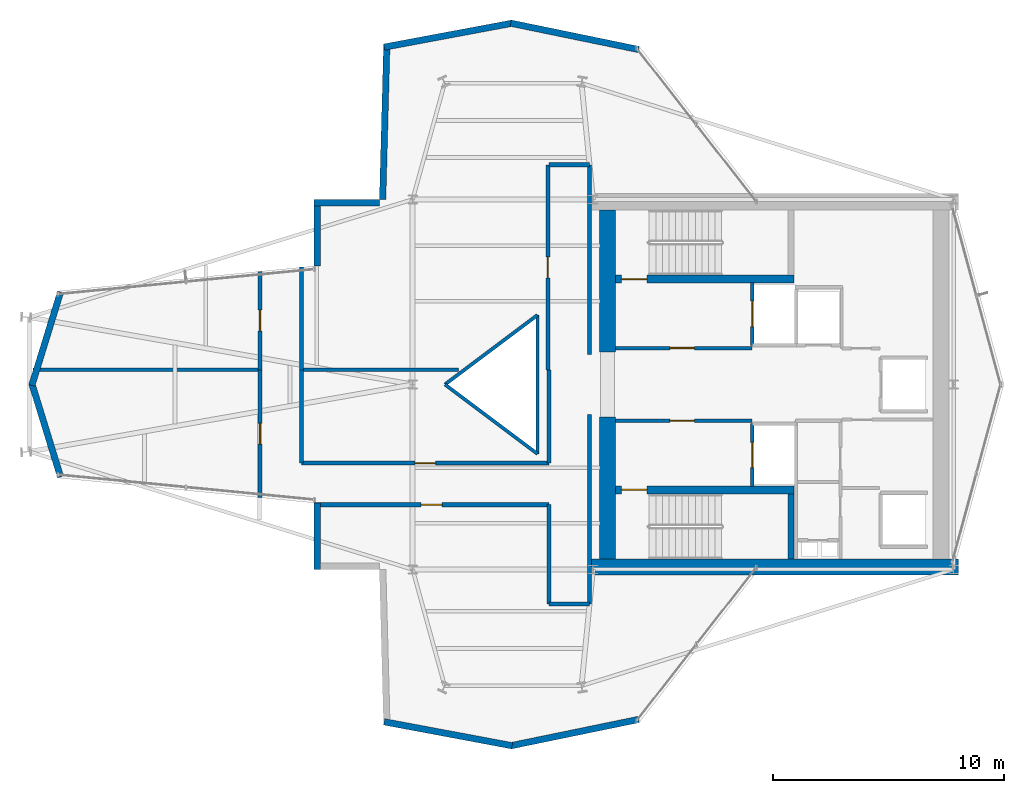
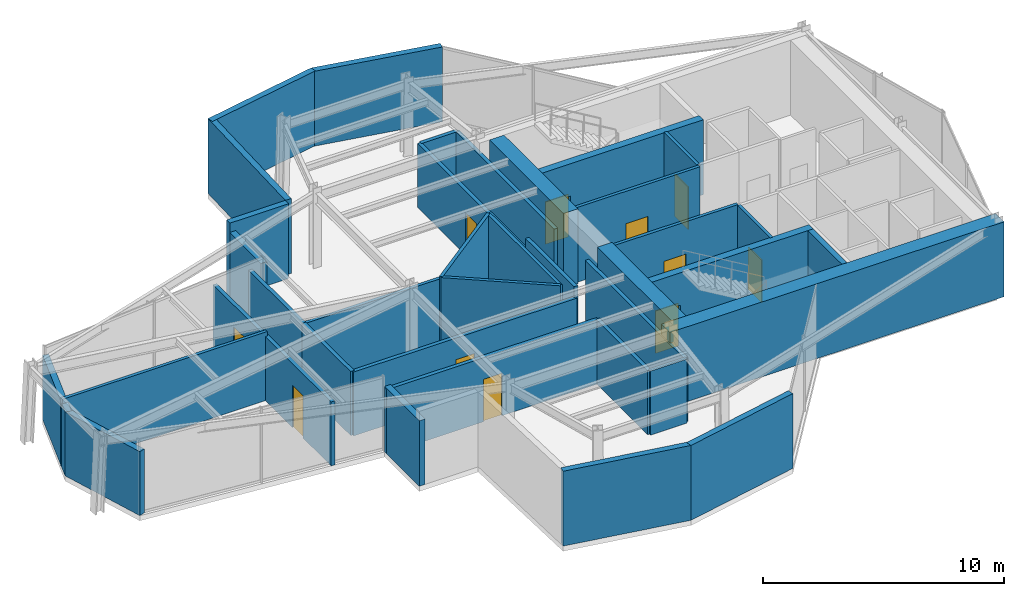
# One storey, part 18 of 20: 38 walls, 11 doors, 11 openings.
"""IFC4 building model written with IfcOpenShell, lengths in metres."""

from ifc_helpers import new_model, si_unit, direction, frame, frame_2d, origin, place, context, subcontext, project, spatial, rectangle, extrude, material, layer, layer_set, type_object, element, fill, save


model = new_model("IFC4")

# Units and contexts
model_context = context("Model", 3, precision=1e-05, world=origin(), true_north=direction((0.0, 1.0)))
body_context = subcontext(model_context, "Body", "Model", "MODEL_VIEW")
ifc_project = project(units=[si_unit("LENGTHUNIT", "METRE"), si_unit("AREAUNIT", "SQUARE_METRE"), si_unit("VOLUMEUNIT", "CUBIC_METRE"), si_unit("PLANEANGLEUNIT", "RADIAN"), si_unit("MASSUNIT", "GRAM", prefix="KILO")], contexts=[model_context])

# Site, building, storey
site_placement = place(None, origin())
site = spatial("IfcSite", under=ifc_project, at=site_placement, CompositionType="ELEMENT")
building_placement = place(site_placement, origin())
building = spatial("IfcBuilding", under=site, at=building_placement, Name="Veymaron Broadcast Tower", CompositionType="ELEMENT")
storey_placement = place(building_placement, frame((0.0, 0.0, 248.550048828125)))
storey = spatial("IfcBuildingStorey", under=building, at=storey_placement, Name="L58", CompositionType="ELEMENT", Elevation=248.550048828125)

# Walls
ifc_material_1 = material(Name="Precast concrete C40/50", Category="concrete")
ifc_layer_1 = layer(ifc_material_1, 0.280029296875)
ifc_layer_set_1 = layer_set([ifc_layer_1], Name="Precast concrete C40/50")
wall_type_1 = type_object("IfcWallType", Name="WALL-EXT-280", PredefinedType="STANDARD", material=ifc_layer_set_1)
wall_1_placement = place(storey_placement, frame((40.977783203125, 38.486083984375, 0.0), z_axis=(0.0, 0.0, 1.0), x_axis=(-0.979426896637, 0.201799291733, 0.0)))
element("IfcWall", 1, at=wall_1_placement, inside=storey, type_object=wall_type_1, Name="L58 notched corner facade pier 6-1", PredefinedType="STANDARD", context=body_context, shape_type="SweptSolid", body=[
    extrude(rectangle(XDim=5.6474609375, YDim=0.280029296875, at=frame_2d((2.82373046875, 0.0))), origin(), (0.0, 0.0, 1.0), 3.7900390625),
])
wall_2_placement = place(storey_placement, frame((35.50048828125, 39.625244140625, 0.0), z_axis=(0.0, 0.0, 1.0), x_axis=(-0.982902134609, -0.184128742409, 0.0)))
element("IfcWall", 2, at=wall_2_placement, inside=storey, type_object=wall_type_1, Name="L58 notched corner facade pier 7-1", PredefinedType="STANDARD", context=body_context, shape_type="SweptSolid", body=[
    extrude(rectangle(XDim=5.627197265625, YDim=0.280029296875, at=frame_2d((2.8134765625, 0.0))), origin(), (0.0, 0.0, 1.0), 3.7900390625),
])
wall_3_placement = place(storey_placement, frame((30.08349609375, 38.72314453125, 0.0), z_axis=(0.0, 0.0, 1.0), x_axis=(-0.026702629768, -0.999643421208, 0.0)))
element("IfcWall", 3, at=wall_3_placement, inside=storey, type_object=wall_type_1, Name="L58 notched corner facade pier 8-1", PredefinedType="STANDARD", context=body_context, shape_type="SweptSolid", body=[
    extrude(rectangle(XDim=6.729248046875, YDim=0.280029296875, at=frame_2d((3.36474609375, 0.0))), origin(), (0.0, 0.0, 1.0), 3.7900390625),
])
wall_4_placement = place(storey_placement, frame((29.763916015625, 31.860107421875, 0.0), z_axis=(0.0, 0.0, 1.0), x_axis=(-1.0, 0.0, 0.0)))
element("IfcWall", 4, at=wall_4_placement, inside=storey, type_object=wall_type_1, Name="L58 notched corner facade pier 9-1", PredefinedType="STANDARD", context=body_context, shape_type="SweptSolid", body=[
    extrude(rectangle(XDim=2.821533203125, YDim=0.280029296875, at=frame_2d((1.41064453125, 0.0))), origin(), (0.0, 0.0, 1.0), 3.7900390625),
])
wall_5_placement = place(storey_placement, frame((27.08251953125, 32.0, 0.0), z_axis=(0.0, 0.0, 1.0), x_axis=(0.0, -1.0, 0.0)))
element("IfcWall", 5, at=wall_5_placement, inside=storey, type_object=wall_type_1, Name="L58 notched corner facade pier 10-1", PredefinedType="STANDARD", context=body_context, shape_type="SweptSolid", body=[
    extrude(rectangle(XDim=2.87646484375, YDim=0.280029296875, at=frame_2d((1.438232421875, 0.0))), origin(), (0.0, 0.0, 1.0), 3.31884765625),
])
for number, where, z_axis, x_axis, name in (
    (6, (15.973876953125, 28.000732421875, 0.0), (0.0, 0.0, 1.0), (-0.293972254798, -0.955813953345, 0.0), "L58 notched corner facade pier 12-1"),
    (7, (14.730712890625, 24.041259765625, 0.0), (0.0, 0.0, 1.0), (0.293972254798, -0.955813953345, 0.0), "L58 notched corner facade pier 13-1"),
):
    element("IfcWall", number, at=place(storey_placement, frame(where, z_axis=z_axis, x_axis=x_axis)), inside=storey, type_object=wall_type_1, Name=name, PredefinedType="STANDARD", context=body_context, shape_type="SweptSolid", body=[
        extrude(rectangle(XDim=4.228759765625, YDim=0.280029296875, at=frame_2d((2.1142578125, 0.0))), origin(), (0.0, 0.0, 1.0), 3.240966796875),
    ])
wall_6_placement = place(storey_placement, frame((27.08251953125, 18.87646484375, 0.0), z_axis=(0.0, 0.0, 1.0), x_axis=(0.0, -1.0, 0.0)))
element("IfcWall", 8, at=wall_6_placement, inside=storey, type_object=wall_type_1, Name="L58 notched corner facade pier 15-1", PredefinedType="STANDARD", context=body_context, shape_type="SweptSolid", body=[
    extrude(rectangle(XDim=2.87646484375, YDim=0.280029296875, at=frame_2d((1.438232421875, 0.0))), origin(), (0.0, 0.0, 1.0), 3.31884765625),
])
wall_7_placement = place(storey_placement, frame((29.969482421875, 9.410888671875, 0.0), z_axis=(0.0, 0.0, 1.0), x_axis=(0.982902134609, -0.184128742409, 0.0)))
element("IfcWall", 9, at=wall_7_placement, inside=storey, type_object=wall_type_1, Name="L58 notched corner facade pier 18-1", PredefinedType="STANDARD", context=body_context, shape_type="SweptSolid", body=[
    extrude(rectangle(XDim=5.627197265625, YDim=0.280029296875, at=frame_2d((2.8134765625, 0.0))), origin(), (0.0, 0.0, 1.0), 3.7900390625),
])
wall_8_placement = place(storey_placement, frame((35.446533203125, 8.374267578125, 0.0), z_axis=(0.0, 0.0, 1.0), x_axis=(0.979426896637, 0.201799291733, 0.0)))
element("IfcWall", 10, at=wall_8_placement, inside=storey, type_object=wall_type_1, Name="L58 notched corner facade pier 19-1", PredefinedType="STANDARD", context=body_context, shape_type="SweptSolid", body=[
    extrude(rectangle(XDim=5.6474609375, YDim=0.280029296875, at=frame_2d((2.82373046875, 0.0))), origin(), (0.0, 0.0, 1.0), 3.7900390625),
])

# Wall, opening, door
ifc_material_2 = material(Name="Gypsum fireboard and steel stud framing", Category="steel")
ifc_layer_2 = layer(ifc_material_2, 0.14990234375)
ifc_layer_set_2 = layer_set([ifc_layer_2], Name="Gypsum fireboard and steel stud framing")
wall_type_2 = type_object("IfcWallType", Name="WALL-FIRE-150", PredefinedType="PARTITIONING", material=ifc_layer_set_2)
wall_9_placement = place(storey_placement, frame((39.97998046875, 25.574951171875, 0.0), z_axis=(0.0, 0.0, 1.0), x_axis=(1.0, 0.0, 0.0)))
wall_9 = element("IfcWall", 11, at=wall_9_placement, inside=storey, type_object=wall_type_2, Name="L58 partition IW-L58-FFLN-S", PredefinedType="PARTITIONING", context=body_context, shape_type="SweptSolid", body=[
    extrude(rectangle(XDim=5.89990234375, YDim=0.14990234375, at=frame_2d((2.949951171875, 0.0))), origin(), (0.0, 0.0, 1.0), 3.7900390625),
])
opening_1_placement = place(wall_9_placement, frame((2.35009765625, 0.0, 0.0)))
opening_1 = element("IfcOpeningElement", 12, at=opening_1_placement, cuts=wall_9, Name="Opening ID-FL1", PredefinedType="OPENING", context=body_context, shape_type="SweptSolid", body=[
    extrude(rectangle(XDim=1.050048828125, YDim=2.14990234375, at=frame_2d((0.52490234375, 1.074951171875))), frame((0.0, 0.0849609375, 0.0), z_axis=(0.0, -1.0, 0.0), x_axis=(1.0, 0.0, 0.0)), (0.0, 0.0, 1.0), 0.169921875),
])
ifc_material_3 = material(Name="Fire-rated painted hollow steel ASTM A653", Category="steel")
door_type_1 = type_object("IfcDoorType", Name="DOOR-FIRE-1050", OperationType="NOTDEFINED", PredefinedType="DOOR", material=ifc_material_3)
door_1_placement = place(opening_1_placement, origin())
door_1 = element("IfcDoor", 13, at=door_1_placement, inside=storey, type_object=door_type_1, Name="L58 door DR-L58-FFLN", OperationType="SINGLE_SWING_LEFT", OverallHeight=2.14990234375, OverallWidth=1.050048828125, PredefinedType="DOOR", context=body_context, shape_type="SweptSolid", body=[
    extrude(rectangle(XDim=1.050048828125, YDim=2.14990234375, at=frame_2d((0.52490234375, 1.074951171875))), frame((0.0, 0.02490234375, 0.0), z_axis=(0.0, -1.0, 0.0), x_axis=(1.0, 0.0, 0.0)), (0.0, 0.0, 1.0), 0.050048828125),
])
fill(opening_1, door_1)

wall_10_placement = place(storey_placement, frame((39.97998046875, 22.425048828125, 0.0), z_axis=(0.0, 0.0, 1.0), x_axis=(1.0, 0.0, 0.0)))
wall_10 = element("IfcWall", 14, at=wall_10_placement, inside=storey, type_object=wall_type_2, Name="L58 partition IW-L58-FFLS-N", PredefinedType="PARTITIONING", context=body_context, shape_type="SweptSolid", body=[
    extrude(rectangle(XDim=5.89990234375, YDim=0.14990234375, at=frame_2d((2.949951171875, 0.0))), origin(), (0.0, 0.0, 1.0), 3.7900390625),
])
opening_2_placement = place(wall_10_placement, frame((2.35009765625, 0.0, 0.0)))
opening_2 = element("IfcOpeningElement", 15, at=opening_2_placement, cuts=wall_10, Name="Opening ID-FL1", PredefinedType="OPENING", context=body_context, shape_type="SweptSolid", body=[
    extrude(rectangle(XDim=1.050048828125, YDim=2.14990234375, at=frame_2d((0.52490234375, 1.074951171875))), frame((0.0, 0.0849609375, 0.0), z_axis=(0.0, -1.0, 0.0), x_axis=(1.0, 0.0, 0.0)), (0.0, 0.0, 1.0), 0.169921875),
])
door_2_placement = place(opening_2_placement, frame((1.050048828125, 0.0, 0.0), z_axis=(0.0, 0.0, 1.0), x_axis=(-1.0, 0.0, 0.0)))
door_2 = element("IfcDoor", 16, at=door_2_placement, inside=storey, type_object=door_type_1, Name="L58 door DR-L58-FFLS", OperationType="SINGLE_SWING_RIGHT", OverallHeight=2.14990234375, OverallWidth=1.050048828125, PredefinedType="DOOR", context=body_context, shape_type="SweptSolid", body=[
    extrude(rectangle(XDim=1.050048828125, YDim=2.14990234375, at=frame_2d((0.52490234375, 1.074951171875))), frame((0.0, 0.02490234375, 0.0), z_axis=(0.0, -1.0, 0.0), x_axis=(1.0, 0.0, 0.0)), (0.0, 0.0, 1.0), 0.050048828125),
])
fill(opening_2, door_2)

wall_11_placement = place(storey_placement, frame((45.89501953125, 25.68994140625, 0.0), z_axis=(0.0, 0.0, 1.0), x_axis=(0.0, 1.0, 0.0)))
wall_11 = element("IfcWall", 17, at=wall_11_placement, inside=storey, type_object=wall_type_2, Name="L58 partition IW-L58-SHW-FFL-1", PredefinedType="PARTITIONING", context=body_context, shape_type="SweptSolid", body=[
    extrude(rectangle(XDim=2.719970703125, YDim=0.14990234375, at=frame_2d((1.35986328125, 0.0))), origin(), (0.0, 0.0, 1.0), 3.7900390625),
])
opening_3_placement = place(wall_11_placement, frame((0.81005859375, 0.0, 0.0)))
opening_3 = element("IfcOpeningElement", 18, at=opening_3_placement, cuts=wall_11, Name="Opening LD", PredefinedType="OPENING", context=body_context, shape_type="SweptSolid", body=[
    extrude(rectangle(XDim=1.10009765625, YDim=2.14990234375, at=frame_2d((0.550048828125, 1.074951171875))), frame((0.0, 0.0849609375, 0.0), z_axis=(0.0, -1.0, 0.0), x_axis=(1.0, 0.0, 0.0)), (0.0, 0.0, 1.0), 0.169921875),
])
ifc_material_4 = material(Name="Brushed stainless steel AISI 304", Category="steel")
door_type_2 = type_object("IfcDoorType", Name="DOOR-LIFT-1100", OperationType="DOUBLE_DOOR_SLIDING", PredefinedType="DOOR", material=ifc_material_4)
door_3_placement = place(opening_3_placement, frame((1.10009765625, 0.0, 0.0), z_axis=(0.0, 0.0, 1.0), x_axis=(-1.0, 0.0, 0.0)))
door_3 = element("IfcDoor", 19, at=door_3_placement, inside=storey, type_object=door_type_2, Name="L58 door LD-L58-FFL-1", OperationType="DOUBLE_DOOR_SLIDING", OverallHeight=2.14990234375, OverallWidth=1.10009765625, PredefinedType="DOOR", context=body_context, shape_type="SweptSolid", body=[
    extrude(rectangle(XDim=1.10009765625, YDim=2.14990234375, at=frame_2d((0.550048828125, 1.074951171875))), frame((0.0, 0.02490234375, 0.0), z_axis=(0.0, -1.0, 0.0), x_axis=(1.0, 0.0, 0.0)), (0.0, 0.0, 1.0), 0.050048828125),
])
fill(opening_3, door_3)

wall_12_placement = place(storey_placement, frame((45.89501953125, 19.590087890625, 0.0), z_axis=(0.0, 0.0, 1.0), x_axis=(0.0, 1.0, 0.0)))
wall_12 = element("IfcWall", 20, at=wall_12_placement, inside=storey, type_object=wall_type_2, Name="L58 partition IW-L58-SHW-FFL-2", PredefinedType="PARTITIONING", context=body_context, shape_type="SweptSolid", body=[
    extrude(rectangle(XDim=2.719970703125, YDim=0.14990234375, at=frame_2d((1.35986328125, 0.0))), origin(), (0.0, 0.0, 1.0), 3.7900390625),
])
opening_4_placement = place(wall_12_placement, frame((0.81005859375, 0.0, 0.0)))
opening_4 = element("IfcOpeningElement", 21, at=opening_4_placement, cuts=wall_12, Name="Opening LD", PredefinedType="OPENING", context=body_context, shape_type="SweptSolid", body=[
    extrude(rectangle(XDim=1.10009765625, YDim=2.14990234375, at=frame_2d((0.550048828125, 1.074951171875))), frame((0.0, 0.0849609375, 0.0), z_axis=(0.0, -1.0, 0.0), x_axis=(1.0, 0.0, 0.0)), (0.0, 0.0, 1.0), 0.169921875),
])
door_4_placement = place(opening_4_placement, frame((1.10009765625, 0.0, 0.0), z_axis=(0.0, 0.0, 1.0), x_axis=(-1.0, 0.0, 0.0)))
door_4 = element("IfcDoor", 22, at=door_4_placement, inside=storey, type_object=door_type_2, Name="L58 door LD-L58-FFL-2", OperationType="DOUBLE_DOOR_SLIDING", OverallHeight=2.14990234375, OverallWidth=1.10009765625, PredefinedType="DOOR", context=body_context, shape_type="SweptSolid", body=[
    extrude(rectangle(XDim=1.10009765625, YDim=2.14990234375, at=frame_2d((0.550048828125, 1.074951171875))), frame((0.0, 0.02490234375, 0.0), z_axis=(0.0, -1.0, 0.0), x_axis=(1.0, 0.0, 0.0)), (0.0, 0.0, 1.0), 0.050048828125),
])
fill(opening_4, door_4)

ifc_material_5 = material(Name="Concrete C40/50", Category="concrete")
ifc_layer_3 = layer(ifc_material_5, 0.179931640625)
ifc_layer_set_3 = layer_set([ifc_layer_3], Name="Concrete C40/50")
wall_type_3 = type_object("IfcWallType", Name="WALL-FIRE-180", PredefinedType="SOLIDWALL", material=ifc_layer_set_3)
wall_13_placement = place(storey_placement, frame((26.9423828125, 18.800048828125, 0.0), z_axis=(0.0, 0.0, 1.0), x_axis=(1.0, 0.0, 0.0)))
wall_13 = element("IfcWall", 23, at=wall_13_placement, inside=storey, type_object=wall_type_3, Name="L58 partition IW-L58-P01", PredefinedType="SOLIDWALL", context=body_context, shape_type="SweptSolid", body=[
    extrude(rectangle(XDim=10.15771484375, YDim=0.179931640625, at=frame_2d((5.078857421875, 0.0))), origin(), (0.0, 0.0, 1.0), 3.240966796875),
])
opening_5_placement = place(wall_13_placement, frame((4.62890625, 0.0, 0.0)))
opening_5 = element("IfcOpeningElement", 24, at=opening_5_placement, cuts=wall_13, Name="Opening ID-RM2", PredefinedType="OPENING", context=body_context, shape_type="SweptSolid", body=[
    extrude(rectangle(XDim=0.89990234375, YDim=2.14990234375, at=frame_2d((0.449951171875, 1.074951171875))), frame((0.0, 0.10009765625, 0.0), z_axis=(0.0, -1.0, 0.0), x_axis=(1.0, 0.0, 0.0)), (0.0, 0.0, 1.0), 0.199951171875),
])
ifc_material_6 = material(Name="Acoustic solid-core European oak veneer timber", Category="wood")
door_type_3 = type_object("IfcDoorType", Name="DOOR-INT-900", OperationType="NOTDEFINED", PredefinedType="DOOR", material=ifc_material_6)
door_5_placement = place(opening_5_placement, frame((0.89990234375, 0.0, 0.0), z_axis=(0.0, 0.0, 1.0), x_axis=(-1.0, 0.0, 0.0)))
door_5 = element("IfcDoor", 25, at=door_5_placement, inside=storey, type_object=door_type_3, Name="L58 door DR-L58-P01", OperationType="SINGLE_SWING_RIGHT", OverallHeight=2.14990234375, OverallWidth=0.89990234375, PredefinedType="DOOR", context=body_context, shape_type="SweptSolid", body=[
    extrude(rectangle(XDim=0.89990234375, YDim=2.14990234375, at=frame_2d((0.449951171875, 1.074951171875))), frame((0.0, 0.02490234375, 0.0), z_axis=(0.0, -1.0, 0.0), x_axis=(1.0, 0.0, 0.0)), (0.0, 0.0, 1.0), 0.050048828125),
])
fill(opening_5, door_5)

wall_14_placement = place(storey_placement, frame((24.60009765625, 19.1044921875, 0.0), z_axis=(0.0, 0.0, 1.0), x_axis=(0.0, 1.0, 0.0)))
wall_14 = element("IfcWall", 26, at=wall_14_placement, inside=storey, type_object=wall_type_3, Name="L58 partition IW-L58-P05", PredefinedType="SOLIDWALL", context=body_context, shape_type="SweptSolid", body=[
    extrude(rectangle(XDim=5.526611328125, YDim=0.179931640625, at=frame_2d((2.76318359375, 0.0))), origin(), (0.0, 0.0, 1.0), 3.240966796875),
])
opening_6_placement = place(wall_14_placement, frame((2.313232421875, 0.0, 0.0)))
opening_6 = element("IfcOpeningElement", 27, at=opening_6_placement, cuts=wall_14, Name="Opening ID-RM2", PredefinedType="OPENING", context=body_context, shape_type="SweptSolid", body=[
    extrude(rectangle(XDim=0.89990234375, YDim=2.14990234375, at=frame_2d((0.449951171875, 1.074951171875))), frame((0.0, 0.10009765625, 0.0), z_axis=(0.0, -1.0, 0.0), x_axis=(1.0, 0.0, 0.0)), (0.0, 0.0, 1.0), 0.199951171875),
])
door_6_placement = place(opening_6_placement, origin())
door_6 = element("IfcDoor", 28, at=door_6_placement, inside=storey, type_object=door_type_3, Name="L58 door DR-L58-P05", OperationType="SINGLE_SWING_RIGHT", OverallHeight=2.14990234375, OverallWidth=0.89990234375, PredefinedType="DOOR", context=body_context, shape_type="SweptSolid", body=[
    extrude(rectangle(XDim=0.89990234375, YDim=2.14990234375, at=frame_2d((0.449951171875, 1.074951171875))), frame((0.0, 0.02490234375, 0.0), z_axis=(0.0, -1.0, 0.0), x_axis=(1.0, 0.0, 0.0)), (0.0, 0.0, 1.0), 0.050048828125),
])
fill(opening_6, door_6)

wall_15_placement = place(storey_placement, frame((26.39990234375, 20.60009765625, 0.0), z_axis=(0.0, 0.0, 1.0), x_axis=(1.0, 0.0, 0.0)))
wall_15 = element("IfcWall", 29, at=wall_15_placement, inside=storey, type_object=wall_type_3, Name="L58 partition IW-L58-P06", PredefinedType="SOLIDWALL", context=body_context, shape_type="SweptSolid", body=[
    extrude(rectangle(XDim=10.7001953125, YDim=0.179931640625, at=frame_2d((5.35009765625, 0.0))), origin(), (0.0, 0.0, 1.0), 3.240966796875),
])
opening_7_placement = place(wall_15_placement, frame((4.89990234375, 0.0, 0.0)))
opening_7 = element("IfcOpeningElement", 30, at=opening_7_placement, cuts=wall_15, Name="Opening ID-RM2", PredefinedType="OPENING", context=body_context, shape_type="SweptSolid", body=[
    extrude(rectangle(XDim=0.89990234375, YDim=2.14990234375, at=frame_2d((0.449951171875, 1.074951171875))), frame((0.0, 0.10009765625, 0.0), z_axis=(0.0, -1.0, 0.0), x_axis=(1.0, 0.0, 0.0)), (0.0, 0.0, 1.0), 0.199951171875),
])
door_7_placement = place(opening_7_placement, origin())
door_7 = element("IfcDoor", 31, at=door_7_placement, inside=storey, type_object=door_type_3, Name="L58 door DR-L58-P06", OperationType="SINGLE_SWING_LEFT", OverallHeight=2.14990234375, OverallWidth=0.89990234375, PredefinedType="DOOR", context=body_context, shape_type="SweptSolid", body=[
    extrude(rectangle(XDim=0.89990234375, YDim=2.14990234375, at=frame_2d((0.449951171875, 1.074951171875))), frame((0.0, 0.02490234375, 0.0), z_axis=(0.0, -1.0, 0.0), x_axis=(1.0, 0.0, 0.0)), (0.0, 0.0, 1.0), 0.050048828125),
])
fill(opening_7, door_7)

wall_16_placement = place(storey_placement, frame((24.60009765625, 24.631103515625, 0.0), z_axis=(0.0, 0.0, 1.0), x_axis=(0.0, 1.0, 0.0)))
wall_16 = element("IfcWall", 32, at=wall_16_placement, inside=storey, type_object=wall_type_3, Name="L58 partition IW-L58-P09", PredefinedType="SOLIDWALL", context=body_context, shape_type="SweptSolid", body=[
    extrude(rectangle(XDim=4.264404296875, YDim=0.179931640625, at=frame_2d((2.13232421875, 0.0))), origin(), (0.0, 0.0, 1.0), 3.240966796875),
])
opening_8_placement = place(wall_16_placement, frame((1.68212890625, 0.0, 0.0)))
opening_8 = element("IfcOpeningElement", 33, at=opening_8_placement, cuts=wall_16, Name="Opening ID-RM2", PredefinedType="OPENING", context=body_context, shape_type="SweptSolid", body=[
    extrude(rectangle(XDim=0.89990234375, YDim=2.14990234375, at=frame_2d((0.449951171875, 1.074951171875))), frame((0.0, 0.10009765625, 0.0), z_axis=(0.0, -1.0, 0.0), x_axis=(1.0, 0.0, 0.0)), (0.0, 0.0, 1.0), 0.199951171875),
])
door_8_placement = place(opening_8_placement, origin())
door_8 = element("IfcDoor", 34, at=door_8_placement, inside=storey, type_object=door_type_3, Name="L58 door DR-L58-P09", OperationType="SINGLE_SWING_RIGHT", OverallHeight=2.14990234375, OverallWidth=0.89990234375, PredefinedType="DOOR", context=body_context, shape_type="SweptSolid", body=[
    extrude(rectangle(XDim=0.89990234375, YDim=2.14990234375, at=frame_2d((0.449951171875, 1.074951171875))), frame((0.0, 0.02490234375, 0.0), z_axis=(0.0, -1.0, 0.0), x_axis=(1.0, 0.0, 0.0)), (0.0, 0.0, 1.0), 0.050048828125),
])
fill(opening_8, door_8)

wall_17_placement = place(storey_placement, frame((37.050048828125, 24.631103515625, 0.0), z_axis=(0.0, 0.0, 1.0), x_axis=(0.0, 1.0, 0.0)))
wall_17 = element("IfcWall", 35, at=wall_17_placement, inside=storey, type_object=wall_type_3, Name="L58 partition IW-L58-P10", PredefinedType="SOLIDWALL", context=body_context, shape_type="SweptSolid", body=[
    extrude(rectangle(XDim=8.868896484375, YDim=0.179931640625, at=frame_2d((4.4345703125, 0.0))), origin(), (0.0, 0.0, 1.0), 3.240966796875),
])
opening_9_placement = place(wall_17_placement, frame((3.984619140625, 0.0, 0.0)))
opening_9 = element("IfcOpeningElement", 36, at=opening_9_placement, cuts=wall_17, Name="Opening ID-RM2", PredefinedType="OPENING", context=body_context, shape_type="SweptSolid", body=[
    extrude(rectangle(XDim=0.89990234375, YDim=2.14990234375, at=frame_2d((0.449951171875, 1.074951171875))), frame((0.0, 0.10009765625, 0.0), z_axis=(0.0, -1.0, 0.0), x_axis=(1.0, 0.0, 0.0)), (0.0, 0.0, 1.0), 0.199951171875),
])
door_9_placement = place(opening_9_placement, origin())
door_9 = element("IfcDoor", 37, at=door_9_placement, inside=storey, type_object=door_type_3, Name="L58 door DR-L58-P10", OperationType="SINGLE_SWING_LEFT", OverallHeight=2.14990234375, OverallWidth=0.89990234375, PredefinedType="DOOR", context=body_context, shape_type="SweptSolid", body=[
    extrude(rectangle(XDim=0.89990234375, YDim=2.14990234375, at=frame_2d((0.449951171875, 1.074951171875))), frame((0.0, 0.02490234375, 0.0), z_axis=(0.0, -1.0, 0.0), x_axis=(1.0, 0.0, 0.0)), (0.0, 0.0, 1.0), 0.050048828125),
])
fill(opening_9, door_9)

# Walls
wall_18_placement = place(storey_placement, frame((38.85009765625, 14.5, 0.0), z_axis=(0.0, 0.0, 1.0), x_axis=(0.0, 1.0, 0.0)))
element("IfcWall", 38, at=wall_18_placement, inside=storey, type_object=wall_type_3, Name="L58 partition IW-L58-P02", PredefinedType="SOLIDWALL", context=body_context, shape_type="SweptSolid", body=[
    extrude(rectangle(XDim=8.199951171875, YDim=0.179931640625, at=frame_2d((4.10009765625, 0.0))), origin(), (0.0, 0.0, 1.0), 3.240966796875),
])
wall_19_placement = place(storey_placement, frame((37.10009765625, 14.5, 0.0), z_axis=(0.0, 0.0, 1.0), x_axis=(0.0, 1.0, 0.0)))
element("IfcWall", 39, at=wall_19_placement, inside=storey, type_object=wall_type_3, Name="L58 partition IW-L58-P03", PredefinedType="SOLIDWALL", context=body_context, shape_type="SweptSolid", body=[
    extrude(rectangle(XDim=4.300048828125, YDim=0.179931640625, at=frame_2d((2.14990234375, 0.0))), origin(), (0.0, 0.0, 1.0), 3.240966796875),
])
wall_20_placement = place(storey_placement, frame((37.10009765625, 14.5, 0.0), z_axis=(0.0, 0.0, 1.0), x_axis=(1.0, 0.0, 0.0)))
element("IfcWall", 40, at=wall_20_placement, inside=storey, type_object=wall_type_3, Name="L58 partition IW-L58-P04", PredefinedType="SOLIDWALL", context=body_context, shape_type="SweptSolid", body=[
    extrude(rectangle(XDim=1.75, YDim=0.179931640625, at=frame_2d((0.875, 0.0))), origin(), (0.0, 0.0, 1.0), 3.240966796875),
])
wall_21_placement = place(storey_placement, frame((26.39990234375, 20.60009765625, 0.0), z_axis=(0.0, 0.0, 1.0), x_axis=(0.0, 1.0, 0.0)))
element("IfcWall", 41, at=wall_21_placement, inside=storey, type_object=wall_type_3, Name="L58 partition IW-L58-P07", PredefinedType="SOLIDWALL", context=body_context, shape_type="SweptSolid", body=[
    extrude(rectangle(XDim=4.031005859375, YDim=0.179931640625, at=frame_2d((2.015625, 0.0))), origin(), (0.0, 0.0, 1.0), 3.240966796875),
])
wall_22_placement = place(storey_placement, frame((37.10009765625, 20.60009765625, 0.0), z_axis=(0.0, 0.0, 1.0), x_axis=(0.0, 1.0, 0.0)))
element("IfcWall", 42, at=wall_22_placement, inside=storey, type_object=wall_type_3, Name="L58 partition IW-L58-P08", PredefinedType="SOLIDWALL", context=body_context, shape_type="SweptSolid", body=[
    extrude(rectangle(XDim=4.031005859375, YDim=0.179931640625, at=frame_2d((2.015625, 0.0))), origin(), (0.0, 0.0, 1.0), 3.7900390625),
])
wall_23_placement = place(storey_placement, frame((38.85009765625, 25.300048828125, 0.0), z_axis=(0.0, 0.0, 1.0), x_axis=(0.0, 1.0, 0.0)))
element("IfcWall", 43, at=wall_23_placement, inside=storey, type_object=wall_type_3, Name="L58 partition IW-L58-P11", PredefinedType="SOLIDWALL", context=body_context, shape_type="SweptSolid", body=[
    extrude(rectangle(XDim=8.199951171875, YDim=0.179931640625, at=frame_2d((4.10009765625, 0.0))), origin(), (0.0, 0.0, 1.0), 3.240966796875),
])
wall_24_placement = place(storey_placement, frame((26.39990234375, 24.631103515625, 0.0), z_axis=(0.0, 0.0, 1.0), x_axis=(0.0, 1.0, 0.0)))
element("IfcWall", 44, at=wall_24_placement, inside=storey, type_object=wall_type_3, Name="L58 partition IW-L58-P12", PredefinedType="SOLIDWALL", context=body_context, shape_type="SweptSolid", body=[
    extrude(rectangle(XDim=4.439697265625, YDim=0.179931640625, at=frame_2d((2.2197265625, 0.0))), origin(), (0.0, 0.0, 1.0), 3.240966796875),
])
wall_25_placement = place(storey_placement, frame((37.10009765625, 33.5, 0.0), z_axis=(0.0, 0.0, 1.0), x_axis=(1.0, 0.0, 0.0)))
element("IfcWall", 45, at=wall_25_placement, inside=storey, type_object=wall_type_3, Name="L58 partition IW-L58-P13", PredefinedType="SOLIDWALL", context=body_context, shape_type="SweptSolid", body=[
    extrude(rectangle(XDim=1.75, YDim=0.179931640625, at=frame_2d((0.875, 0.0))), origin(), (0.0, 0.0, 1.0), 3.240966796875),
])
ifc_material_7 = material(Name="Fire-rated laminated glass in aluminium frame", Category="aluminium")
ifc_layer_4 = layer(ifc_material_7, 0.14990234375)
ifc_layer_set_4 = layer_set([ifc_layer_4], Name="Fire-rated laminated glass in aluminium frame")
wall_type_4 = type_object("IfcWallType", Name="WALL-GLZ-150", PredefinedType="MOVABLE", material=ifc_layer_set_4)
wall_26_placement = place(storey_placement, frame((14.791015625, 24.631103515625, 0.0), z_axis=(0.0, 0.0, 1.0), x_axis=(1.0, 0.0, 0.0)))
element("IfcWall", 46, at=wall_26_placement, inside=storey, type_object=wall_type_4, Name="L58 partition IW-L58-P14", PredefinedType="MOVABLE", context=body_context, shape_type="SweptSolid", body=[
    extrude(rectangle(XDim=9.80908203125, YDim=0.14990234375, at=frame_2d((4.904541015625, 0.0))), origin(), (0.0, 0.0, 1.0), 3.468017578125),
])
wall_27_placement = place(storey_placement, frame((26.39990234375, 24.631103515625, 0.0), z_axis=(0.0, 0.0, 1.0), x_axis=(1.0, 0.0, 0.0)))
element("IfcWall", 47, at=wall_27_placement, inside=storey, type_object=wall_type_4, Name="L58 partition IW-L58-P15", PredefinedType="MOVABLE", context=body_context, shape_type="SweptSolid", body=[
    extrude(rectangle(XDim=6.79150390625, YDim=0.14990234375, at=frame_2d((3.395751953125, 0.0))), origin(), (0.0, 0.0, 1.0), 3.240966796875),
])
wall_28_placement = place(storey_placement, frame((32.60009765625, 24.0, 0.0), z_axis=(0.0, 0.0, 1.0), x_axis=(0.8, -0.6, 0.0)))
element("IfcWall", 48, at=wall_28_placement, inside=storey, type_object=wall_type_4, Name="L58 partition IW-L58-ATR1", PredefinedType="MOVABLE", context=body_context, shape_type="SweptSolid", body=[
    extrude(rectangle(XDim=5.0, YDim=0.14990234375, at=frame_2d((2.5, 0.0))), origin(), (0.0, 0.0, 1.0), 3.7900390625),
])
wall_29_placement = place(storey_placement, frame((36.60009765625, 21.0, 0.0), z_axis=(0.0, 0.0, 1.0), x_axis=(0.0, 1.0, 0.0)))
element("IfcWall", 49, at=wall_29_placement, inside=storey, type_object=wall_type_4, Name="L58 partition IW-L58-ATR2", PredefinedType="MOVABLE", context=body_context, shape_type="SweptSolid", body=[
    extrude(rectangle(XDim=6.0, YDim=0.14990234375, at=frame_2d((3.0, 0.0))), origin(), (0.0, 0.0, 1.0), 3.7900390625),
])
wall_30_placement = place(storey_placement, frame((36.60009765625, 27.0, 0.0), z_axis=(0.0, 0.0, 1.0), x_axis=(-0.8, -0.6, 0.0)))
element("IfcWall", 50, at=wall_30_placement, inside=storey, type_object=wall_type_4, Name="L58 partition IW-L58-ATR3", PredefinedType="MOVABLE", context=body_context, shape_type="SweptSolid", body=[
    extrude(rectangle(XDim=5.0, YDim=0.14990234375, at=frame_2d((2.5, 0.0))), origin(), (0.0, 0.0, 1.0), 3.7900390625),
])
ifc_material_8 = material(Name="Concrete C50/60", Category="concrete")
ifc_layer_5 = layer(ifc_material_8, 0.25)
ifc_layer_set_5 = layer_set([ifc_layer_5], Name="Concrete C50/60")
wall_type_5 = type_object("IfcWallType", Name="WALL-SHEAR-250", PredefinedType="SHEAR", material=ifc_layer_set_5)
wall_31_placement = place(storey_placement, frame((47.56494140625, 16.449951171875, 0.0), z_axis=(0.0, 0.0, 1.0), x_axis=(0.0, 1.0, 0.0)))
element("IfcWall", 51, at=wall_31_placement, inside=storey, type_object=wall_type_5, Name="L58 Core Wall south stair east shear", PredefinedType="SHEAR", context=body_context, shape_type="SweptSolid", body=[
    extrude(rectangle(XDim=2.820068359375, YDim=0.25, at=frame_2d((1.41015625, 0.0))), origin(), (0.0, 0.0, 1.0), 3.7900390625),
])

# Wall, opening, door
ifc_layer_6 = layer(ifc_material_8, 0.35009765625)
ifc_layer_set_6 = layer_set([ifc_layer_6], Name="Concrete C50/60")
wall_type_6 = type_object("IfcWallType", Name="WALL-SHEAR-350", PredefinedType="SHEAR", material=ifc_layer_set_6)
wall_32_placement = place(storey_placement, frame((39.97998046875, 28.554931640625, 0.0), z_axis=(0.0, 0.0, 1.0), x_axis=(1.0, 0.0, 0.0)))
wall_32 = element("IfcWall", 52, at=wall_32_placement, inside=storey, type_object=wall_type_6, Name="L58 Core Wall north stair spine", PredefinedType="SHEAR", context=body_context, shape_type="SweptSolid", body=[
    extrude(rectangle(XDim=7.7099609375, YDim=0.35009765625, at=frame_2d((3.85498046875, 0.0))), origin(), (0.0, 0.0, 1.0), 3.7900390625),
])
opening_10_placement = place(wall_32_placement, frame((0.25, 0.0, 0.0)))
opening_10 = element("IfcOpeningElement", 53, at=opening_10_placement, cuts=wall_32, Name="Opening ID-ST1", PredefinedType="OPENING", context=body_context, shape_type="SweptSolid", body=[
    extrude(rectangle(XDim=1.10009765625, YDim=2.14990234375, at=frame_2d((0.550048828125, 1.074951171875))), frame((0.0, 0.18505859375, 0.0), z_axis=(0.0, -1.0, 0.0), x_axis=(1.0, 0.0, 0.0)), (0.0, 0.0, 1.0), 0.3701171875),
])
door_type_4 = type_object("IfcDoorType", Name="DOOR-STAIR-1100", OperationType="NOTDEFINED", PredefinedType="DOOR", material=ifc_material_3)
door_10_placement = place(opening_10_placement, origin())
door_10 = element("IfcDoor", 54, at=door_10_placement, inside=storey, type_object=door_type_4, Name="L58 exit stair ST1 fire door", OperationType="SINGLE_SWING_LEFT", OverallHeight=2.14990234375, OverallWidth=1.10009765625, PredefinedType="DOOR", context=body_context, shape_type="SweptSolid", body=[
    extrude(rectangle(XDim=1.10009765625, YDim=2.14990234375, at=frame_2d((0.550048828125, 1.074951171875))), frame((0.0, 0.02490234375, 0.0), z_axis=(0.0, -1.0, 0.0), x_axis=(1.0, 0.0, 0.0)), (0.0, 0.0, 1.0), 0.050048828125),
])
fill(opening_10, door_10)

wall_33_placement = place(storey_placement, frame((39.97998046875, 19.445068359375, 0.0), z_axis=(0.0, 0.0, 1.0), x_axis=(1.0, 0.0, 0.0)))
wall_33 = element("IfcWall", 55, at=wall_33_placement, inside=storey, type_object=wall_type_6, Name="L58 Core Wall south stair spine", PredefinedType="SHEAR", context=body_context, shape_type="SweptSolid", body=[
    extrude(rectangle(XDim=7.7099609375, YDim=0.35009765625, at=frame_2d((3.85498046875, 0.0))), origin(), (0.0, 0.0, 1.0), 3.7900390625),
])
opening_11_placement = place(wall_33_placement, frame((0.25, 0.0, 0.0)))
opening_11 = element("IfcOpeningElement", 56, at=opening_11_placement, cuts=wall_33, Name="Opening ID-ST1", PredefinedType="OPENING", context=body_context, shape_type="SweptSolid", body=[
    extrude(rectangle(XDim=1.10009765625, YDim=2.14990234375, at=frame_2d((0.550048828125, 1.074951171875))), frame((0.0, 0.18505859375, 0.0), z_axis=(0.0, -1.0, 0.0), x_axis=(1.0, 0.0, 0.0)), (0.0, 0.0, 1.0), 0.3701171875),
])
door_11_placement = place(opening_11_placement, frame((1.10009765625, 0.0, 0.0), z_axis=(0.0, 0.0, 1.0), x_axis=(-1.0, 0.0, 0.0)))
door_11 = element("IfcDoor", 57, at=door_11_placement, inside=storey, type_object=door_type_4, Name="L58 exit stair ST2 fire door", OperationType="SINGLE_SWING_RIGHT", OverallHeight=2.14990234375, OverallWidth=1.10009765625, PredefinedType="DOOR", context=body_context, shape_type="SweptSolid", body=[
    extrude(rectangle(XDim=1.10009765625, YDim=2.14990234375, at=frame_2d((0.550048828125, 1.074951171875))), frame((0.0, 0.02490234375, 0.0), z_axis=(0.0, -1.0, 0.0), x_axis=(1.0, 0.0, 0.0)), (0.0, 0.0, 1.0), 0.050048828125),
])
fill(opening_11, door_11)

# Walls
ifc_material_9 = material(Name="Concrete C60/75", Category="concrete")
ifc_layer_7 = layer(ifc_material_9, 0.699951171875)
ifc_layer_set_7 = layer_set([ifc_layer_7], Name="Concrete C60/75")
wall_type_7 = type_object("IfcWallType", Name="WALL-SHEAR-700", PredefinedType="SHEAR", material=ifc_layer_set_7)
wall_34_placement = place(storey_placement, frame((38.800048828125, 16.10009765625, 0.0), z_axis=(0.0, 0.0, 1.0), x_axis=(1.0, 0.0, 0.0)))
element("IfcWall", 58, at=wall_34_placement, inside=storey, type_object=wall_type_7, Name="L58 Core Wall south shear", PredefinedType="SHEAR", context=body_context, shape_type="SweptSolid", body=[
    extrude(rectangle(XDim=16.0, YDim=0.699951171875, at=frame_2d((8.0, 0.0))), origin(), (0.0, 0.0, 1.0), 3.7900390625),
])
for number, where, z_axis, x_axis, name in (
    (59, (39.6298828125, 16.449951171875, 0.0), (0.0, 0.0, 1.0), (0.0, 1.0, 0.0), "L58 Core Wall west-south shear"),
    (60, (39.6298828125, 25.39990234375, 0.0), (0.0, 0.0, 1.0), (0.0, 1.0, 0.0), "L58 Core Wall west-north shear"),
):
    element("IfcWall", number, at=place(storey_placement, frame(where, z_axis=z_axis, x_axis=x_axis)), inside=storey, type_object=wall_type_7, Name=name, PredefinedType="SHEAR", context=body_context, shape_type="SweptSolid", body=[
        extrude(rectangle(XDim=6.150146484375, YDim=0.699951171875, at=frame_2d((3.0751953125, 0.0))), origin(), (0.0, 0.0, 1.0), 3.7900390625),
    ])

save(model, "model.ifc")
